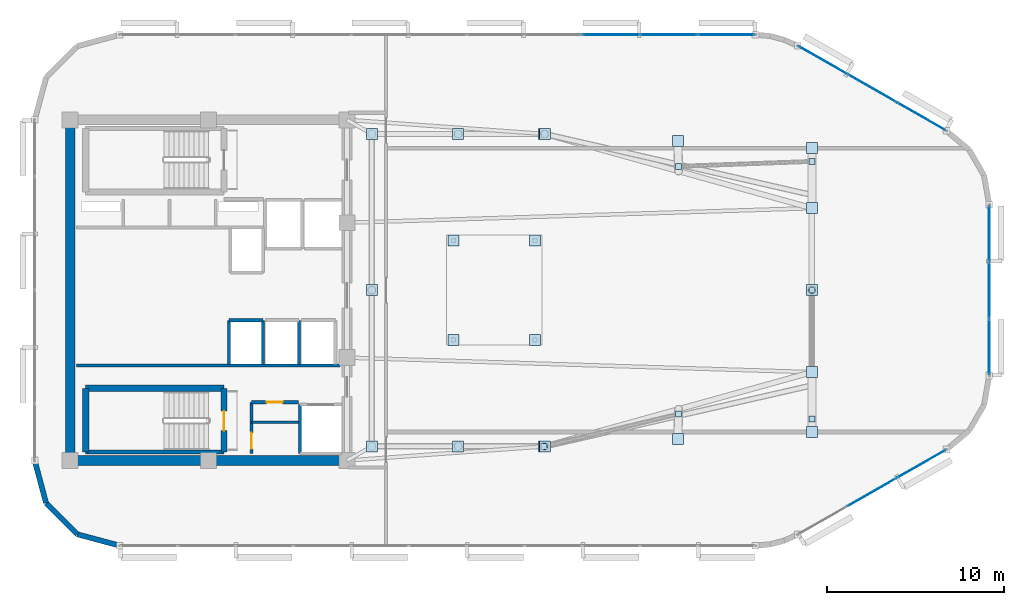
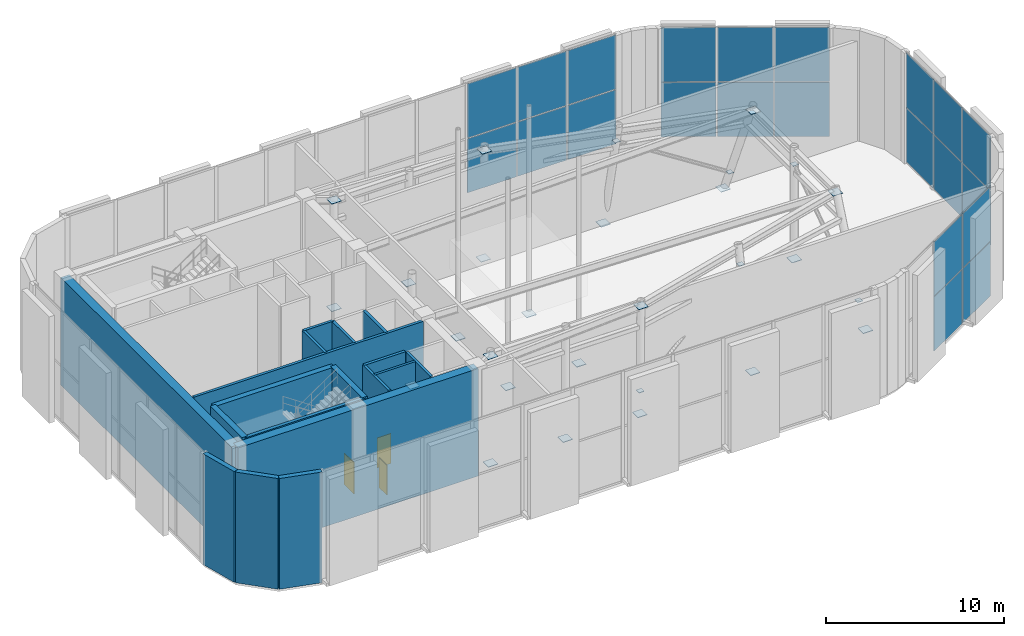
# One storey, part 18 of 22: 50 plates, 18 walls, 3 doors, 3 openings, 4 elements without a shape of their own.
"""IFC4 building model written with IfcOpenShell, lengths in metres."""

from ifc_helpers import new_model, si_unit, direction, frame, frame_2d, origin, origin_2d, place, context, subcontext, project, spatial, rectangle, extrude, material, layer, layer_set, type_object, element, fill, aggregate, save


model = new_model("IFC4")

# Units and contexts
model_context = context("Model", 3, precision=1e-05, world=origin(), true_north=direction((0.0, 1.0)))
body_context = subcontext(model_context, "Body", "Model", "MODEL_VIEW")
ifc_project = project(units=[si_unit("LENGTHUNIT", "METRE"), si_unit("AREAUNIT", "SQUARE_METRE"), si_unit("VOLUMEUNIT", "CUBIC_METRE"), si_unit("PLANEANGLEUNIT", "RADIAN"), si_unit("MASSUNIT", "GRAM", prefix="KILO")], contexts=[model_context])

# Site, building, storey
site_placement = place(None, origin())
site = spatial("IfcSite", under=ifc_project, at=site_placement, CompositionType="ELEMENT")
building_placement = place(site_placement, origin())
building = spatial("IfcBuilding", under=site, at=building_placement, Name="An Khanh Terracotta Commons", CompositionType="ELEMENT")
storey_placement = place(building_placement, frame((0.0, 0.0, 300.39990234375)))
storey = spatial("IfcBuildingStorey", under=building, at=storey_placement, Name="L78 Crown Damper Chamber", CompositionType="ELEMENT", Elevation=300.39990234375)

# Plates
ifc_material_1 = material(Name="Steel S460ML", Category="steel")
ifc_layer_1 = layer(ifc_material_1, 0.030029296875, Name="Steel S460ML")
ifc_layer_set_1 = layer_set([ifc_layer_1], Name="Steel S460ML")
plate_type_1 = type_object("IfcPlateType", Name="CROWN-CAP-PL", PredefinedType="USERDEFINED", material=ifc_layer_set_1)
for number, where, z_axis, x_axis, name in (
    (1, (48.31396484375, 15.199951171875, 1.2880859375), (0.0, 0.0, 1.0), (1.0, 0.0, 0.0), "L78 Crown Damper Chamber CROWN FRAME Brace End-Cap Plate 2A"),
    (2, (55.87890625, 17.02001953125, 6.22998046875), (0.0, 0.0, 1.0), (1.0, 0.0, 0.0), "L78 Crown Damper Chamber CROWN FRAME Brace End-Cap Plate 2B"),
    (3, (63.39990234375, 16.743896484375, 1.2880859375), (0.0, 0.0, 1.0), (1.0, 0.0, 0.0), "L78 Crown Damper Chamber CROWN FRAME Brace End-Cap Plate 3A"),
    (4, (63.39990234375, 24.0, 6.22998046875), (0.0, 0.0, 1.0), (1.0, 0.0, 0.0), "L78 Crown Damper Chamber CROWN FRAME Brace End-Cap Plate 3B"),
    (5, (63.39990234375, 31.256103515625, 1.2880859375), (0.0, 0.0, 1.0), (1.0, 0.0, 0.0), "L78 Crown Damper Chamber CROWN FRAME Brace End-Cap Plate 4A"),
    (6, (55.87890625, 30.97998046875, 6.22998046875), (0.0, 0.0, 1.0), (1.0, 0.0, 0.0), "L78 Crown Damper Chamber CROWN FRAME Brace End-Cap Plate 4B"),
):
    element("IfcPlate", number, at=place(storey_placement, frame(where, z_axis=z_axis, x_axis=x_axis)), inside=storey, type_object=plate_type_1, Name=name, ObjectType="FLANGE_PLATE", PredefinedType="USERDEFINED", context=body_context, shape_type="SweptSolid", body=[
        extrude(rectangle(XDim=0.340087890625, YDim=0.340087890625, at=origin_2d()), origin(), (0.0, 0.0, 1.0), 0.030029296875),
    ])

# Curtain wall, plates
ifc_material_2 = material(Name="Anodised Aluminium 6063-T6", Category="aluminium")
ifc_layer_2 = layer(ifc_material_2, 0.25, Name="Anodised Aluminium 6063-T6")
ifc_layer_set_2 = layer_set([ifc_layer_2], Name="Anodised Aluminium 6063-T6")
curtain_wall_type = type_object("IfcCurtainWallType", Name="CW-SYS-05", PredefinedType="USERDEFINED", material=ifc_layer_set_2)
curtain_wall_1_placement = place(storey_placement, origin())
curtain_wall_1 = element("IfcCurtainWall", 7, at=curtain_wall_1_placement, inside=storey, type_object=curtain_wall_type, Name="L78 Crown Damper Chamber CW-05 Unitised Curtain Wall CW-L78-08", ObjectType="UNITISED CURTAIN WALL", PredefinedType="USERDEFINED")
ifc_material_3 = material(Name="Translucent Backlit Opal Insulated Glass", Category="glass")
ifc_layer_3 = layer(ifc_material_3, 0.0439453125, Name="Translucent Backlit Opal Insulated Glass")
ifc_layer_set_3 = layer_set([ifc_layer_3], Name="Translucent Backlit Opal Insulated Glass")
plate_type_2 = type_object("IfcPlateType", Name="CWP-OPAL-44", PredefinedType="CURTAIN_PANEL", material=ifc_layer_set_3)
plate_1_placement = place(storey_placement, frame((66.7939453125, 12.625, 0.06005859375), z_axis=(0.0, 0.0, 1.0), x_axis=(0.868204858198, 0.496205929228, 0.0)))
plate_1 = element("IfcPlate", 8, at=plate_1_placement, type_object=plate_type_2, Name="CW-05 panel 2.1", PredefinedType="CURTAIN_PANEL", context=body_context, shape_type="SweptSolid", body=[
    extrude(rectangle(XDim=3.135009765625, YDim=0.0439453125, at=origin_2d()), origin(), (0.0, 0.0, 1.0), 3.7099609375),
])
plate_2_placement = place(storey_placement, frame((66.7939453125, 12.625, 3.830078125), z_axis=(0.0, 0.0, 1.0), x_axis=(0.868204858198, 0.496205929228, 0.0)))
plate_2 = element("IfcPlate", 9, at=plate_2_placement, type_object=plate_type_2, Name="CW-05 panel 2.2", PredefinedType="CURTAIN_PANEL", context=body_context, shape_type="SweptSolid", body=[
    extrude(rectangle(XDim=3.135009765625, YDim=0.0439453125, at=origin_2d()), origin(), (0.0, 0.0, 1.0), 3.7099609375),
])
plate_3_placement = place(storey_placement, frame((69.56787109375, 14.21044921875, 0.06005859375), z_axis=(0.0, 0.0, 1.0), x_axis=(0.868204858198, 0.496205929228, 0.0)))
plate_3 = element("IfcPlate", 10, at=plate_3_placement, type_object=plate_type_2, Name="CW-05 panel 3.1", PredefinedType="CURTAIN_PANEL", context=body_context, shape_type="SweptSolid", body=[
    extrude(rectangle(XDim=3.094970703125, YDim=0.0439453125, at=origin_2d()), origin(), (0.0, 0.0, 1.0), 3.7099609375),
])
plate_4_placement = place(storey_placement, frame((69.56787109375, 14.21044921875, 3.830078125), z_axis=(0.0, 0.0, 1.0), x_axis=(0.868204858198, 0.496205929228, 0.0)))
plate_4 = element("IfcPlate", 11, at=plate_4_placement, type_object=plate_type_2, Name="CW-05 panel 3.2", PredefinedType="CURTAIN_PANEL", context=body_context, shape_type="SweptSolid", body=[
    extrude(rectangle(XDim=3.094970703125, YDim=0.0439453125, at=origin_2d()), origin(), (0.0, 0.0, 1.0), 3.7099609375),
])
aggregate(curtain_wall_1, [plate_1, plate_2, plate_3, plate_4])

curtain_wall_2_placement = place(storey_placement, origin())
curtain_wall_2 = element("IfcCurtainWall", 12, at=curtain_wall_2_placement, inside=storey, type_object=curtain_wall_type, Name="L78 Crown Damper Chamber CW-05 Unitised Curtain Wall CW-L78-12", ObjectType="UNITISED CURTAIN WALL", PredefinedType="USERDEFINED")
plate_5_placement = place(storey_placement, frame((73.39990234375, 20.810546875, 0.06005859375), z_axis=(0.0, 0.0, 1.0), x_axis=(0.0, 1.0, 0.0)))
plate_5 = element("IfcPlate", 13, at=plate_5_placement, type_object=plate_type_2, Name="CW-05 panel 1.1", PredefinedType="CURTAIN_PANEL", context=body_context, shape_type="SweptSolid", body=[
    extrude(rectangle(XDim=3.08935546875, YDim=0.0439453125, at=origin_2d()), origin(), (0.0, 0.0, 1.0), 3.7099609375),
])
plate_6_placement = place(storey_placement, frame((73.39990234375, 20.810546875, 3.830078125), z_axis=(0.0, 0.0, 1.0), x_axis=(0.0, 1.0, 0.0)))
plate_6 = element("IfcPlate", 14, at=plate_6_placement, type_object=plate_type_2, Name="CW-05 panel 1.2", PredefinedType="CURTAIN_PANEL", context=body_context, shape_type="SweptSolid", body=[
    extrude(rectangle(XDim=3.08935546875, YDim=0.0439453125, at=origin_2d()), origin(), (0.0, 0.0, 1.0), 3.7099609375),
])
plate_7_placement = place(storey_placement, frame((73.39990234375, 24.0, 0.06005859375), z_axis=(0.0, 0.0, 1.0), x_axis=(0.0, 1.0, 0.0)))
plate_7 = element("IfcPlate", 15, at=plate_7_placement, type_object=plate_type_2, Name="CW-05 panel 2.1", PredefinedType="CURTAIN_PANEL", context=body_context, shape_type="SweptSolid", body=[
    extrude(rectangle(XDim=3.12939453125, YDim=0.0439453125, at=origin_2d()), origin(), (0.0, 0.0, 1.0), 3.7099609375),
])
plate_8_placement = place(storey_placement, frame((73.39990234375, 24.0, 3.830078125), z_axis=(0.0, 0.0, 1.0), x_axis=(0.0, 1.0, 0.0)))
plate_8 = element("IfcPlate", 16, at=plate_8_placement, type_object=plate_type_2, Name="CW-05 panel 2.2", PredefinedType="CURTAIN_PANEL", context=body_context, shape_type="SweptSolid", body=[
    extrude(rectangle(XDim=3.12939453125, YDim=0.0439453125, at=origin_2d()), origin(), (0.0, 0.0, 1.0), 3.7099609375),
])
plate_9_placement = place(storey_placement, frame((73.39990234375, 27.189453125, 0.06005859375), z_axis=(0.0, 0.0, 1.0), x_axis=(0.0, 1.0, 0.0)))
plate_9 = element("IfcPlate", 17, at=plate_9_placement, type_object=plate_type_2, Name="CW-05 panel 3.1", PredefinedType="CURTAIN_PANEL", context=body_context, shape_type="SweptSolid", body=[
    extrude(rectangle(XDim=3.08935546875, YDim=0.0439453125, at=origin_2d()), origin(), (0.0, 0.0, 1.0), 3.7099609375),
])
plate_10_placement = place(storey_placement, frame((73.39990234375, 27.189453125, 3.830078125), z_axis=(0.0, 0.0, 1.0), x_axis=(0.0, 1.0, 0.0)))
plate_10 = element("IfcPlate", 18, at=plate_10_placement, type_object=plate_type_2, Name="CW-05 panel 3.2", PredefinedType="CURTAIN_PANEL", context=body_context, shape_type="SweptSolid", body=[
    extrude(rectangle(XDim=3.08935546875, YDim=0.0439453125, at=origin_2d()), origin(), (0.0, 0.0, 1.0), 3.7099609375),
])
aggregate(curtain_wall_2, [plate_5, plate_6, plate_7, plate_8, plate_9, plate_10])

curtain_wall_3_placement = place(storey_placement, origin())
curtain_wall_3 = element("IfcCurtainWall", 19, at=curtain_wall_3_placement, inside=storey, type_object=curtain_wall_type, Name="L78 Crown Damper Chamber CW-05 Unitised Curtain Wall CW-L78-16", ObjectType="UNITISED CURTAIN WALL", PredefinedType="USERDEFINED")
plate_11_placement = place(storey_placement, frame((69.56787109375, 33.78955078125, 0.06005859375), z_axis=(0.0, 0.0, 1.0), x_axis=(-0.868204858198, 0.496205929228, 0.0)))
plate_11 = element("IfcPlate", 20, at=plate_11_placement, type_object=plate_type_2, Name="CW-05 panel 1.1", PredefinedType="CURTAIN_PANEL", context=body_context, shape_type="SweptSolid", body=[
    extrude(rectangle(XDim=3.094970703125, YDim=0.0439453125, at=origin_2d()), origin(), (0.0, 0.0, 1.0), 3.7099609375),
])
plate_12_placement = place(storey_placement, frame((69.56787109375, 33.78955078125, 3.830078125), z_axis=(0.0, 0.0, 1.0), x_axis=(-0.868204858198, 0.496205929228, 0.0)))
plate_12 = element("IfcPlate", 21, at=plate_12_placement, type_object=plate_type_2, Name="CW-05 panel 1.2", PredefinedType="CURTAIN_PANEL", context=body_context, shape_type="SweptSolid", body=[
    extrude(rectangle(XDim=3.094970703125, YDim=0.0439453125, at=origin_2d()), origin(), (0.0, 0.0, 1.0), 3.7099609375),
])
plate_13_placement = place(storey_placement, frame((66.7939453125, 35.375, 0.06005859375), z_axis=(0.0, 0.0, 1.0), x_axis=(-0.868204858198, 0.496205929228, 0.0)))
plate_13 = element("IfcPlate", 22, at=plate_13_placement, type_object=plate_type_2, Name="CW-05 panel 2.1", PredefinedType="CURTAIN_PANEL", context=body_context, shape_type="SweptSolid", body=[
    extrude(rectangle(XDim=3.135009765625, YDim=0.0439453125, at=origin_2d()), origin(), (0.0, 0.0, 1.0), 3.7099609375),
])
plate_14_placement = place(storey_placement, frame((66.7939453125, 35.375, 3.830078125), z_axis=(0.0, 0.0, 1.0), x_axis=(-0.868204858198, 0.496205929228, 0.0)))
plate_14 = element("IfcPlate", 23, at=plate_14_placement, type_object=plate_type_2, Name="CW-05 panel 2.2", PredefinedType="CURTAIN_PANEL", context=body_context, shape_type="SweptSolid", body=[
    extrude(rectangle(XDim=3.135009765625, YDim=0.0439453125, at=origin_2d()), origin(), (0.0, 0.0, 1.0), 3.7099609375),
])
plate_15_placement = place(storey_placement, frame((64.02001953125, 36.96044921875, 0.06005859375), z_axis=(0.0, 0.0, 1.0), x_axis=(-0.868204858198, 0.496205929228, 0.0)))
plate_15 = element("IfcPlate", 24, at=plate_15_placement, type_object=plate_type_2, Name="CW-05 panel 3.1", PredefinedType="CURTAIN_PANEL", context=body_context, shape_type="SweptSolid", body=[
    extrude(rectangle(XDim=3.094970703125, YDim=0.0439453125, at=origin_2d()), origin(), (0.0, 0.0, 1.0), 3.7099609375),
])
plate_16_placement = place(storey_placement, frame((64.02001953125, 36.96044921875, 3.830078125), z_axis=(0.0, 0.0, 1.0), x_axis=(-0.868204858198, 0.496205929228, 0.0)))
plate_16 = element("IfcPlate", 25, at=plate_16_placement, type_object=plate_type_2, Name="CW-05 panel 3.2", PredefinedType="CURTAIN_PANEL", context=body_context, shape_type="SweptSolid", body=[
    extrude(rectangle(XDim=3.094970703125, YDim=0.0439453125, at=origin_2d()), origin(), (0.0, 0.0, 1.0), 3.7099609375),
])
aggregate(curtain_wall_3, [plate_11, plate_12, plate_13, plate_14, plate_15, plate_16])

curtain_wall_4_placement = place(storey_placement, origin())
curtain_wall_4 = element("IfcCurtainWall", 26, at=curtain_wall_4_placement, inside=storey, type_object=curtain_wall_type, Name="L78 Crown Damper Chamber CW-05 Unitised Curtain Wall CW-L78-20", ObjectType="UNITISED CURTAIN WALL", PredefinedType="USERDEFINED")
plate_17_placement = place(storey_placement, frame((58.57666015625, 38.39990234375, 0.06005859375), z_axis=(0.0, 0.0, 1.0), x_axis=(-1.0, 0.0, 0.0)))
plate_17 = element("IfcPlate", 27, at=plate_17_placement, type_object=plate_type_2, Name="CW-05 panel 1.1", PredefinedType="CURTAIN_PANEL", context=body_context, shape_type="SweptSolid", body=[
    extrude(rectangle(XDim=3.13671875, YDim=0.0439453125, at=origin_2d()), origin(), (0.0, 0.0, 1.0), 3.7099609375),
])
plate_18_placement = place(storey_placement, frame((58.57666015625, 38.39990234375, 3.830078125), z_axis=(0.0, 0.0, 1.0), x_axis=(-1.0, 0.0, 0.0)))
plate_18 = element("IfcPlate", 28, at=plate_18_placement, type_object=plate_type_2, Name="CW-05 panel 1.2", PredefinedType="CURTAIN_PANEL", context=body_context, shape_type="SweptSolid", body=[
    extrude(rectangle(XDim=3.13671875, YDim=0.0439453125, at=origin_2d()), origin(), (0.0, 0.0, 1.0), 3.7099609375),
])
plate_19_placement = place(storey_placement, frame((55.33984375, 38.39990234375, 0.06005859375), z_axis=(0.0, 0.0, 1.0), x_axis=(-1.0, 0.0, 0.0)))
plate_19 = element("IfcPlate", 29, at=plate_19_placement, type_object=plate_type_2, Name="CW-05 panel 2.1", PredefinedType="CURTAIN_PANEL", context=body_context, shape_type="SweptSolid", body=[
    extrude(rectangle(XDim=3.1767578125, YDim=0.0439453125, at=origin_2d()), origin(), (0.0, 0.0, 1.0), 3.7099609375),
])
plate_20_placement = place(storey_placement, frame((55.33984375, 38.39990234375, 3.830078125), z_axis=(0.0, 0.0, 1.0), x_axis=(-1.0, 0.0, 0.0)))
plate_20 = element("IfcPlate", 30, at=plate_20_placement, type_object=plate_type_2, Name="CW-05 panel 2.2", PredefinedType="CURTAIN_PANEL", context=body_context, shape_type="SweptSolid", body=[
    extrude(rectangle(XDim=3.1767578125, YDim=0.0439453125, at=origin_2d()), origin(), (0.0, 0.0, 1.0), 3.7099609375),
])
plate_21_placement = place(storey_placement, frame((52.0830078125, 38.39990234375, 0.06005859375), z_axis=(0.0, 0.0, 1.0), x_axis=(-1.0, 0.0, 0.0)))
plate_21 = element("IfcPlate", 31, at=plate_21_placement, type_object=plate_type_2, Name="CW-05 panel 3.1", PredefinedType="CURTAIN_PANEL", context=body_context, shape_type="SweptSolid", body=[
    extrude(rectangle(XDim=3.1767578125, YDim=0.0439453125, at=origin_2d()), origin(), (0.0, 0.0, 1.0), 3.7099609375),
])
plate_22_placement = place(storey_placement, frame((52.0830078125, 38.39990234375, 3.830078125), z_axis=(0.0, 0.0, 1.0), x_axis=(-1.0, 0.0, 0.0)))
plate_22 = element("IfcPlate", 32, at=plate_22_placement, type_object=plate_type_2, Name="CW-05 panel 3.2", PredefinedType="CURTAIN_PANEL", context=body_context, shape_type="SweptSolid", body=[
    extrude(rectangle(XDim=3.1767578125, YDim=0.0439453125, at=origin_2d()), origin(), (0.0, 0.0, 1.0), 3.7099609375),
])
aggregate(curtain_wall_4, [plate_17, plate_18, plate_19, plate_20, plate_21, plate_22])

# Plates
ifc_layer_4 = layer(ifc_material_1, 0.02490234375, Name="Steel S460ML")
ifc_layer_set_4 = layer_set([ifc_layer_4], Name="Steel S460ML")
plate_type_3 = type_object("IfcPlateType", Name="PLATE-GUSSET-25", PredefinedType="USERDEFINED", material=ifc_layer_set_4)
for number, where, z_axis, x_axis, name in (
    (33, (38.60009765625, 15.199951171875, 7.11767578125), (0.0, 0.0, 1.0), (1.0, 0.0, 0.0), "L78 Crown Damper Chamber CROWN FRAME Node End-Cap Plate 1"),
    (34, (48.3701171875, 15.199951171875, 7.11767578125), (0.0, 0.0, 1.0), (1.0, 0.0, 0.0), "L78 Crown Damper Chamber CROWN FRAME Node End-Cap Plate 2"),
    (35, (63.39990234375, 19.3798828125, 7.11767578125), (0.0, 0.0, 1.0), (1.0, 0.0, 0.0), "L78 Crown Damper Chamber CROWN FRAME Node End-Cap Plate 3"),
    (36, (63.39990234375, 28.6201171875, 7.11767578125), (0.0, 0.0, 1.0), (1.0, 0.0, 0.0), "L78 Crown Damper Chamber CROWN FRAME Node End-Cap Plate 4"),
    (37, (48.3701171875, 32.800048828125, 7.11767578125), (0.0, 0.0, 1.0), (1.0, 0.0, 0.0), "L78 Crown Damper Chamber CROWN FRAME Node End-Cap Plate 5"),
    (38, (38.60009765625, 32.800048828125, 7.11767578125), (0.0, 0.0, 1.0), (1.0, 0.0, 0.0), "L78 Crown Damper Chamber CROWN FRAME Node End-Cap Plate 6"),
):
    element("IfcPlate", number, at=place(storey_placement, frame(where, z_axis=z_axis, x_axis=x_axis)), inside=storey, type_object=plate_type_3, Name=name, ObjectType="FLANGE_PLATE", PredefinedType="USERDEFINED", context=body_context, shape_type="SweptSolid", body=[
        extrude(rectangle(XDim=0.6201171875, YDim=0.6201171875, at=origin_2d()), origin(), (0.0, 0.0, 1.0), 0.02490234375),
    ])
ifc_layer_5 = layer(ifc_material_1, 0.031982421875, Name="Steel S460ML")
ifc_layer_set_5 = layer_set([ifc_layer_5], Name="Steel S460ML")
plate_type_4 = type_object("IfcPlateType", Name="PLATE-GUSSET-32", PredefinedType="USERDEFINED", material=ifc_layer_set_5)
for number, where, z_axis, x_axis, name in (
    (39, (38.60009765625, 15.199951171875, -0.26611328125), (0.0, 0.0, 1.0), (1.0, 0.0, 0.0), "L78 Crown Damper Chamber CROWN FRAME Corner Rib Base Plate 1"),
    (40, (43.448974609375, 15.199951171875, -0.26611328125), (0.0, 0.0, 1.0), (1.0, 0.0, 0.0), "L78 Crown Damper Chamber CROWN FRAME Facet Strut Base Plate 1"),
    (41, (48.298095703125, 15.199951171875, -0.26611328125), (0.0, 0.0, 1.0), (1.0, 0.0, 0.0), "L78 Crown Damper Chamber CROWN FRAME Corner Rib Base Plate 2"),
    (42, (55.84912109375, 15.60009765625, -0.26611328125), (0.0, 0.0, 1.0), (1.0, 0.0, 0.0), "L78 Crown Damper Chamber CROWN FRAME Facet Strut Base Plate 2"),
    (43, (63.39990234375, 16.0, -0.26611328125), (0.0, 0.0, 1.0), (1.0, 0.0, 0.0), "L78 Crown Damper Chamber CROWN FRAME Corner Rib Base Plate 3"),
    (44, (63.39990234375, 24.0, -0.26611328125), (0.0, 0.0, 1.0), (1.0, 0.0, 0.0), "L78 Crown Damper Chamber CROWN FRAME Facet Strut Base Plate 3"),
    (45, (63.39990234375, 32.0, -0.26611328125), (0.0, 0.0, 1.0), (1.0, 0.0, 0.0), "L78 Crown Damper Chamber CROWN FRAME Corner Rib Base Plate 4"),
    (46, (55.84912109375, 32.39990234375, -0.26611328125), (0.0, 0.0, 1.0), (1.0, 0.0, 0.0), "L78 Crown Damper Chamber CROWN FRAME Facet Strut Base Plate 4"),
    (47, (48.298095703125, 32.800048828125, -0.26611328125), (0.0, 0.0, 1.0), (1.0, 0.0, 0.0), "L78 Crown Damper Chamber CROWN FRAME Corner Rib Base Plate 5"),
    (48, (43.448974609375, 32.800048828125, -0.26611328125), (0.0, 0.0, 1.0), (1.0, 0.0, 0.0), "L78 Crown Damper Chamber CROWN FRAME Facet Strut Base Plate 5"),
    (49, (38.60009765625, 32.800048828125, -0.26611328125), (0.0, 0.0, 1.0), (1.0, 0.0, 0.0), "L78 Crown Damper Chamber CROWN FRAME Corner Rib Base Plate 6"),
    (50, (38.60009765625, 24.0, -0.26611328125), (0.0, 0.0, 1.0), (1.0, 0.0, 0.0), "L78 Crown Damper Chamber CROWN FRAME Facet Strut Base Plate 6"),
):
    element("IfcPlate", number, at=place(storey_placement, frame(where, z_axis=z_axis, x_axis=x_axis)), inside=storey, type_object=plate_type_4, Name=name, ObjectType="FLANGE_PLATE", PredefinedType="USERDEFINED", context=body_context, shape_type="SweptSolid", body=[
        extrude(rectangle(XDim=0.6201171875, YDim=0.6201171875, at=origin_2d()), origin(), (0.0, 0.0, 1.0), 0.031982421875),
    ])
ifc_layer_6 = layer(ifc_material_1, 0.0400390625, Name="Steel S460ML")
ifc_layer_set_6 = layer_set([ifc_layer_6], Name="Steel S460ML")
plate_type_5 = type_object("IfcPlateType", Name="PLATE-GUSSET-40", PredefinedType="USERDEFINED", material=ifc_layer_set_6)
for number, where, z_axis, x_axis, name in (
    (51, (43.199951171875, 21.199951171875, -0.27001953125), (0.0, 0.0, 1.0), (1.0, 0.0, 0.0), "Pendulum Tuned Mass Damper Hanger Plinth Base Plate 1"),
    (52, (47.800048828125, 21.199951171875, -0.27001953125), (0.0, 0.0, 1.0), (1.0, 0.0, 0.0), "Pendulum Tuned Mass Damper Hanger Plinth Base Plate 2"),
    (53, (47.800048828125, 26.800048828125, -0.27001953125), (0.0, 0.0, 1.0), (1.0, 0.0, 0.0), "Pendulum Tuned Mass Damper Hanger Plinth Base Plate 3"),
    (54, (43.199951171875, 26.800048828125, -0.27001953125), (0.0, 0.0, 1.0), (1.0, 0.0, 0.0), "Pendulum Tuned Mass Damper Hanger Plinth Base Plate 4"),
):
    element("IfcPlate", number, at=place(storey_placement, frame(where, z_axis=z_axis, x_axis=x_axis)), inside=storey, type_object=plate_type_5, Name=name, ObjectType="FLANGE_PLATE", PredefinedType="USERDEFINED", context=body_context, shape_type="SweptSolid", body=[
        extrude(rectangle(XDim=0.6201171875, YDim=0.6201171875, at=origin_2d()), origin(), (0.0, 0.0, 1.0), 0.0400390625),
    ])

# Walls
ifc_material_4 = material(Name="Concrete C50/60", Category="concrete")
ifc_layer_7 = layer(ifc_material_4, 0.550048828125, Name="Concrete C50/60")
ifc_layer_set_7 = layer_set([ifc_layer_7], Name="Concrete C50/60")
wall_type_1 = type_object("IfcWallType", Name="WALL-CORE-550", PredefinedType="SHEAR", material=ifc_layer_set_7)
wall_1_placement = place(storey_placement, frame((21.60009765625, 14.39990234375, 0.0), z_axis=(0.0, 0.0, 1.0), x_axis=(0.0, 1.0, 0.0)))
element("IfcWall", 55, at=wall_1_placement, inside=storey, type_object=wall_type_1, Name="L78 Crown Damper Chamber Core Wall CWALL-L78 Crown Damper Chamber-W", PredefinedType="SHEAR", context=body_context, shape_type="SweptSolid", body=[
    extrude(rectangle(XDim=19.2001953125, YDim=0.550048828125, at=frame_2d((9.60009765625, 0.0))), origin(), (0.0, 0.0, 1.0), 7.380126953125),
])
wall_2_placement = place(storey_placement, frame((37.199951171875, 14.39990234375, 0.0), z_axis=(0.0, 0.0, 1.0), x_axis=(-1.0, 0.0, 0.0)))
element("IfcWall", 56, at=wall_2_placement, inside=storey, type_object=wall_type_1, Name="L78 Crown Damper Chamber Core Wall CWALL-L78 Crown Damper Chamber-S", PredefinedType="SHEAR", context=body_context, shape_type="SweptSolid", body=[
    extrude(rectangle(XDim=15.599853515625, YDim=0.550048828125, at=frame_2d((7.7998046875, 0.0))), origin(), (0.0, 0.0, 1.0), 7.380126953125),
])
ifc_material_5 = material(Name="Fire-Rated Gypsum Board on Steel Stud", Category="steel")
ifc_layer_8 = layer(ifc_material_5, 0.179931640625, Name="Fire-Rated Gypsum Board on Steel Stud")
ifc_layer_set_8 = layer_set([ifc_layer_8], Name="Fire-Rated Gypsum Board on Steel Stud")
wall_type_2 = type_object("IfcWallType", Name="WALL-CORR-180", PredefinedType="PARTITIONING", material=ifc_layer_set_8)
wall_3_placement = place(storey_placement, frame((21.949951171875, 19.760009765625, 0.0), z_axis=(0.0, 0.0, 1.0), x_axis=(1.0, 0.0, 0.0)))
element("IfcWall", 57, at=wall_3_placement, inside=storey, type_object=wall_type_2, Name="L78 Crown Damper Chamber Core Wall SVW-L78 Crown Damper Chamber-N", PredefinedType="PARTITIONING", context=body_context, shape_type="SweptSolid", body=[
    extrude(rectangle(XDim=14.8701171875, YDim=0.179931640625, at=frame_2d((7.43505859375, 0.0))), origin(), (0.0, 0.0, 1.0), 7.380126953125),
])

# Wall, opening, door
wall_4_placement = place(storey_placement, frame((31.820068359375, 17.679931640625, 0.0), z_axis=(0.0, 0.0, 1.0), x_axis=(1.0, 0.0, 0.0)))
wall_4 = element("IfcWall", 58, at=wall_4_placement, inside=storey, type_object=wall_type_2, Name="L78 Crown Damper Chamber Core Wall SSVCW-L78 Crown Damper Chamber-N", PredefinedType="PARTITIONING", context=body_context, shape_type="SweptSolid", body=[
    extrude(rectangle(XDim=2.659912109375, YDim=0.179931640625, at=frame_2d((1.330078125, 0.0))), origin(), (0.0, 0.0, 1.0), 7.380126953125),
])
opening_1_placement = place(wall_4_placement, frame((0.85009765625, 0.0, 0.0)))
opening_1 = element("IfcOpeningElement", 59, at=opening_1_placement, cuts=wall_4, Name="Opening D-SV", PredefinedType="OPENING", context=body_context, shape_type="SweptSolid", body=[
    extrude(rectangle(XDim=0.89990234375, YDim=2.050048828125, at=frame_2d((0.449951171875, 1.02490234375))), frame((0.0, 0.099853515625, 0.0), z_axis=(0.0, -1.0, 0.0), x_axis=(1.0, 0.0, 0.0)), (0.0, 0.0, 1.0), 0.199951171875),
])
ifc_material_6 = material(Name="Fire-Rated Powder-Coated Steel Door", Category="steel")
door_type_1 = type_object("IfcDoorType", Name="DOOR-SERV-900", OperationType="NOTDEFINED", PredefinedType="DOOR", material=ifc_material_6)
door_1_placement = place(opening_1_placement, origin())
door_1 = element("IfcDoor", 60, at=door_1_placement, inside=storey, type_object=door_type_1, Name="L78 Crown Damper Chamber Core Cleaner Store Door", OperationType="SINGLE_SWING_LEFT", OverallHeight=2.050048828125, OverallWidth=0.89990234375, PredefinedType="DOOR", context=body_context, shape_type="SweptSolid", body=[
    extrude(rectangle(XDim=0.89990234375, YDim=2.050048828125, at=frame_2d((0.449951171875, 1.02490234375))), frame((0.0, 0.02490234375, 0.0), z_axis=(0.0, -1.0, 0.0), x_axis=(1.0, 0.0, 0.0)), (0.0, 0.0, 1.0), 0.050048828125),
])
fill(opening_1, door_1)

wall_5_placement = place(storey_placement, frame((31.820068359375, 14.800048828125, 0.0), z_axis=(0.0, 0.0, 1.0), x_axis=(0.0, 1.0, 0.0)))
wall_5 = element("IfcWall", 61, at=wall_5_placement, inside=storey, type_object=wall_type_2, Name="L78 Crown Damper Chamber Core Wall SSVCW-L78 Crown Damper Chamber-W", PredefinedType="PARTITIONING", context=body_context, shape_type="SweptSolid", body=[
    extrude(rectangle(XDim=2.8798828125, YDim=0.179931640625, at=frame_2d((1.43994140625, 0.0))), origin(), (0.0, 0.0, 1.0), 7.380126953125),
])
opening_2_placement = place(wall_5_placement, frame((0.260009765625, 0.0, 0.0)))
opening_2 = element("IfcOpeningElement", 62, at=opening_2_placement, cuts=wall_5, Name="Opening D-SV", PredefinedType="OPENING", context=body_context, shape_type="SweptSolid", body=[
    extrude(rectangle(XDim=0.89990234375, YDim=2.050048828125, at=frame_2d((0.449951171875, 1.02490234375))), frame((0.0, 0.099853515625, 0.0), z_axis=(0.0, -1.0, 0.0), x_axis=(1.0, 0.0, 0.0)), (0.0, 0.0, 1.0), 0.199951171875),
])
door_2_placement = place(opening_2_placement, origin())
door_2 = element("IfcDoor", 63, at=door_2_placement, inside=storey, type_object=door_type_1, Name="L78 Crown Damper Chamber Telecoms BMS Cupboard Door", OperationType="SINGLE_SWING_RIGHT", OverallHeight=2.050048828125, OverallWidth=0.89990234375, PredefinedType="DOOR", context=body_context, shape_type="SweptSolid", body=[
    extrude(rectangle(XDim=0.89990234375, YDim=2.050048828125, at=frame_2d((0.449951171875, 1.02490234375))), frame((0.0, 0.02490234375, 0.0), z_axis=(0.0, -1.0, 0.0), x_axis=(1.0, 0.0, 0.0)), (0.0, 0.0, 1.0), 0.050048828125),
])
fill(opening_2, door_2)

# Walls
wall_6_placement = place(storey_placement, frame((34.550048828125, 17.550048828125, 0.0), z_axis=(0.0, 0.0, 1.0), x_axis=(0.0, -1.0, 0.0)))
element("IfcWall", 64, at=wall_6_placement, inside=storey, type_object=wall_type_2, Name="L78 Crown Damper Chamber Core Wall LSH-L78 Crown Damper Chamber-SVL-01-W", PredefinedType="PARTITIONING", context=body_context, shape_type="SweptSolid", body=[
    extrude(rectangle(XDim=2.75, YDim=0.179931640625, at=frame_2d((1.375, 0.0))), origin(), (0.0, 0.0, 1.0), 7.380126953125),
])
wall_7_placement = place(storey_placement, frame((30.56005859375, 22.300048828125, 0.0), z_axis=(0.0, 0.0, 1.0), x_axis=(1.0, 0.0, 0.0)))
element("IfcWall", 65, at=wall_7_placement, inside=storey, type_object=wall_type_2, Name="L78 Crown Damper Chamber Core Wall LSH-L78 Crown Damper Chamber-PL-H2-N", PredefinedType="PARTITIONING", context=body_context, shape_type="SweptSolid", body=[
    extrude(rectangle(XDim=1.89990234375, YDim=0.179931640625, at=frame_2d((0.949951171875, 0.0))), origin(), (0.0, 0.0, 1.0), 7.380126953125),
])
for number, where, z_axis, x_axis, name in (
    (66, (32.4599609375, 19.800048828125, 0.0), (0.0, 0.0, 1.0), (0.0, 1.0, 0.0), "L78 Crown Damper Chamber Core Wall LSH-L78 Crown Damper Chamber-PL-H2-E"),
    (67, (30.56005859375, 22.300048828125, 0.0), (0.0, 0.0, 1.0), (0.0, -1.0, 0.0), "L78 Crown Damper Chamber Core Wall LSH-L78 Crown Damper Chamber-PL-H2-W"),
    (68, (34.5, 19.800048828125, 0.0), (0.0, 0.0, 1.0), (0.0, 1.0, 0.0), "L78 Crown Damper Chamber Core Wall LSH-L78 Crown Damper Chamber-PL-H3-E"),
):
    element("IfcWall", number, at=place(storey_placement, frame(where, z_axis=z_axis, x_axis=x_axis)), inside=storey, type_object=wall_type_2, Name=name, PredefinedType="PARTITIONING", context=body_context, shape_type="SweptSolid", body=[
        extrude(rectangle(XDim=2.5, YDim=0.179931640625, at=frame_2d((1.25, 0.0))), origin(), (0.0, 0.0, 1.0), 7.380126953125),
    ])
ifc_material_7 = material(Name="Precast concrete C40/50", Category="concrete")
ifc_layer_9 = layer(ifc_material_7, 0.300048828125, Name="Precast concrete C40/50")
ifc_layer_set_9 = layer_set([ifc_layer_9], Name="Precast concrete C40/50")
wall_type_3 = type_object("IfcWallType", Name="WALL-EXT-300", PredefinedType="SOLIDWALL", material=ifc_layer_set_9)
wall_8_placement = place(storey_placement, frame((19.60009765625, 14.39990234375, 0.0), z_axis=(0.0, 0.0, 1.0), x_axis=(0.258732810684, -0.965948928606, 0.0)))
element("IfcWall", 69, at=wall_8_placement, inside=storey, type_object=wall_type_3, Name="L78 Crown Damper Chamber Crown Facet Corner Closure 1", PredefinedType="SOLIDWALL", context=body_context, shape_type="SweptSolid", body=[
    extrude(rectangle(XDim=2.484619140625, YDim=0.300048828125, at=frame_2d((1.2421875, 0.0))), origin(), (0.0, 0.0, 1.0), 7.60009765625),
])
wall_9_placement = place(storey_placement, frame((20.242919921875, 12.0, 0.0), z_axis=(0.0, 0.0, 1.0), x_axis=(0.707106781187, -0.707106781187, 0.0)))
element("IfcWall", 70, at=wall_9_placement, inside=storey, type_object=wall_type_3, Name="L78 Crown Damper Chamber Crown Facet Corner Closure 2", PredefinedType="SOLIDWALL", context=body_context, shape_type="SweptSolid", body=[
    extrude(rectangle(XDim=2.48486328125, YDim=0.300048828125, at=frame_2d((1.242431640625, 0.0))), origin(), (0.0, 0.0, 1.0), 7.60009765625),
])
wall_10_placement = place(storey_placement, frame((22.0, 10.242919921875, 0.0), z_axis=(0.0, 0.0, 1.0), x_axis=(0.965948928606, -0.258732810684, 0.0)))
element("IfcWall", 71, at=wall_10_placement, inside=storey, type_object=wall_type_3, Name="L78 Crown Damper Chamber Crown Facet Corner Closure 3", PredefinedType="SOLIDWALL", context=body_context, shape_type="SweptSolid", body=[
    extrude(rectangle(XDim=2.484619140625, YDim=0.300048828125, at=frame_2d((1.2421875, 0.0))), origin(), (0.0, 0.0, 1.0), 7.60009765625),
])
ifc_material_8 = material(Name="Acoustic Gypsum Board Partition")
ifc_layer_10 = layer(ifc_material_8, 0.14990234375, Name="Acoustic Gypsum Board Partition")
ifc_layer_set_10 = layer_set([ifc_layer_10], Name="Acoustic Gypsum Board Partition")
wall_type_4 = type_object("IfcWallType", Name="WALL-PART-150", PredefinedType="PARTITIONING", material=ifc_layer_set_10)
wall_11_placement = place(storey_placement, frame((31.820068359375, 16.550048828125, 0.0), z_axis=(0.0, 0.0, 1.0), x_axis=(1.0, 0.0, 0.0)))
element("IfcWall", 72, at=wall_11_placement, inside=storey, type_object=wall_type_4, Name="L78 Crown Damper Chamber Core Wall SSVCW-L78 Crown Damper Chamber-M", PredefinedType="PARTITIONING", context=body_context, shape_type="SweptSolid", body=[
    extrude(rectangle(XDim=2.659912109375, YDim=0.14990234375, at=frame_2d((1.330078125, 0.0))), origin(), (0.0, 0.0, 1.0), 7.380126953125),
])
ifc_material_9 = material(Name="Acoustic Double-Stud Gypsum and Mineral Wool")
ifc_layer_11 = layer(ifc_material_9, 0.219970703125, Name="Acoustic Double-Stud Gypsum and Mineral Wool")
ifc_layer_set_11 = layer_set([ifc_layer_11], Name="Acoustic Double-Stud Gypsum and Mineral Wool")
wall_type_5 = type_object("IfcWallType", Name="WALL-PARTY-220", PredefinedType="PARTITIONING", material=ifc_layer_set_11)
wall_12_placement = place(storey_placement, frame((22.47998046875, 14.889892578125, 0.0), z_axis=(0.0, 0.0, 1.0), x_axis=(1.0, 0.0, 0.0)))
element("IfcWall", 73, at=wall_12_placement, inside=storey, type_object=wall_type_5, Name="L78 Crown Damper Chamber Core Wall STW-L78 Crown Damper Chamber-S-S", PredefinedType="PARTITIONING", context=body_context, shape_type="SweptSolid", body=[
    extrude(rectangle(XDim=7.7900390625, YDim=0.219970703125, at=frame_2d((3.89501953125, 0.0))), origin(), (0.0, 0.0, 1.0), 7.380126953125),
])
ifc_layer_12 = layer(ifc_material_4, 0.35009765625, Name="Concrete C50/60")
ifc_layer_set_12 = layer_set([ifc_layer_12], Name="Concrete C50/60")
wall_type_6 = type_object("IfcWallType", Name="WALL-SHAFT-350", PredefinedType="SOLIDWALL", material=ifc_layer_set_12)
wall_13_placement = place(storey_placement, frame((22.47998046875, 18.469970703125, 0.0), z_axis=(0.0, 0.0, 1.0), x_axis=(1.0, 0.0, 0.0)))
element("IfcWall", 74, at=wall_13_placement, inside=storey, type_object=wall_type_6, Name="L78 Crown Damper Chamber Core Wall STW-L78 Crown Damper Chamber-S-N", PredefinedType="SOLIDWALL", context=body_context, shape_type="SweptSolid", body=[
    extrude(rectangle(XDim=7.7900390625, YDim=0.35009765625, at=frame_2d((3.89501953125, 0.0))), origin(), (0.0, 0.0, 1.0), 7.380126953125),
])
wall_14_placement = place(storey_placement, frame((22.47998046875, 14.889892578125, 0.0), z_axis=(0.0, 0.0, 1.0), x_axis=(0.0, 1.0, 0.0)))
element("IfcWall", 75, at=wall_14_placement, inside=storey, type_object=wall_type_6, Name="L78 Crown Damper Chamber Core Wall STW-L78 Crown Damper Chamber-S-W", PredefinedType="SOLIDWALL", context=body_context, shape_type="SweptSolid", body=[
    extrude(rectangle(XDim=3.580078125, YDim=0.35009765625, at=frame_2d((1.7900390625, 0.0))), origin(), (0.0, 0.0, 1.0), 7.380126953125),
])

# Wall, opening, door
wall_15_placement = place(storey_placement, frame((30.27001953125, 14.889892578125, 0.0), z_axis=(0.0, 0.0, 1.0), x_axis=(0.0, 1.0, 0.0)))
wall_15 = element("IfcWall", 76, at=wall_15_placement, inside=storey, type_object=wall_type_6, Name="L78 Crown Damper Chamber Core Wall STW-L78 Crown Damper Chamber-S-E", PredefinedType="SOLIDWALL", context=body_context, shape_type="SweptSolid", body=[
    extrude(rectangle(XDim=3.580078125, YDim=0.35009765625, at=frame_2d((1.7900390625, 0.0))), origin(), (0.0, 0.0, 1.0), 7.380126953125),
])
opening_3_placement = place(wall_15_placement, frame((1.18994140625, 0.0, 0.0)))
opening_3 = element("IfcOpeningElement", 77, at=opening_3_placement, cuts=wall_15, Name="Opening D-ST", PredefinedType="OPENING", context=body_context, shape_type="SweptSolid", body=[
    extrude(rectangle(XDim=1.10009765625, YDim=2.14990234375, at=frame_2d((0.550048828125, 1.074951171875))), frame((0.0, 0.18505859375, 0.0), z_axis=(0.0, -1.0, 0.0), x_axis=(1.0, 0.0, 0.0)), (0.0, 0.0, 1.0), 0.3701171875),
])
ifc_material_10 = material(Name="Fire-Rated Steel Leaf and Frame", Category="steel")
door_type_2 = type_object("IfcDoorType", Name="DOOR-STAIR-1100", OperationType="NOTDEFINED", PredefinedType="DOOR", material=ifc_material_10)
door_3_placement = place(opening_3_placement, origin())
door_3 = element("IfcDoor", 78, at=door_3_placement, inside=storey, type_object=door_type_2, Name="L78 Crown Damper Chamber Stair ST-02 Fire Door", OperationType="SINGLE_SWING_RIGHT", OverallHeight=2.14990234375, OverallWidth=1.10009765625, PredefinedType="DOOR", context=body_context, shape_type="SweptSolid", body=[
    extrude(rectangle(XDim=1.10009765625, YDim=2.14990234375, at=frame_2d((0.550048828125, 1.074951171875))), frame((0.0, 0.02490234375, 0.0), z_axis=(0.0, -1.0, 0.0), x_axis=(1.0, 0.0, 0.0)), (0.0, 0.0, 1.0), 0.050048828125),
])
fill(opening_3, door_3)

save(model, "model.ifc")
